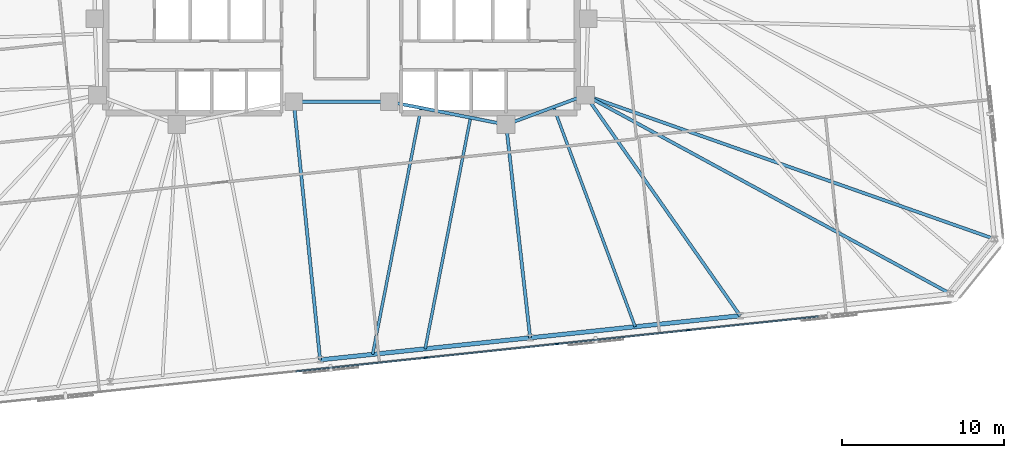
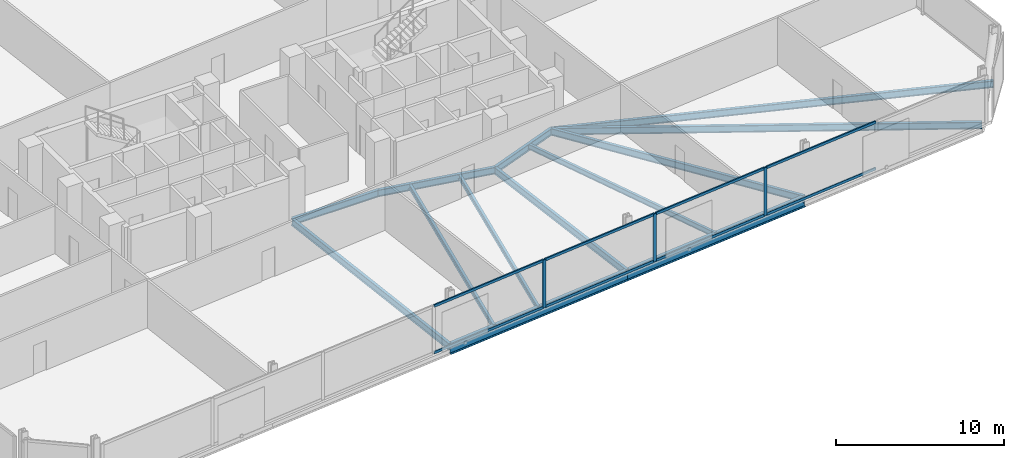
# One storey, part 7 of 18: 13 beams, 11 members, 1 element without a shape of its own.
"""IFC4 building model written with IfcOpenShell, lengths in metres."""

from ifc_helpers import new_model, si_unit, direction, frame, origin, origin_2d, place, context, subcontext, project, spatial, rectangle, i_section, extrude, material, material_profile, profile_set, type_object, element, aggregate, save


model = new_model("IFC4")

# Units and contexts
model_context = context("Model", 3, precision=1e-05, world=origin(), true_north=direction((0.0, 1.0)))
body_context = subcontext(model_context, "Body", "Model", "MODEL_VIEW")
ifc_project = project(units=[si_unit("LENGTHUNIT", "METRE"), si_unit("AREAUNIT", "SQUARE_METRE"), si_unit("VOLUMEUNIT", "CUBIC_METRE"), si_unit("PLANEANGLEUNIT", "RADIAN"), si_unit("MASSUNIT", "GRAM", prefix="KILO")], contexts=[model_context])

# Site, building, storey
site_placement = place(None, origin())
site = spatial("IfcSite", under=ifc_project, at=site_placement, CompositionType="ELEMENT")
building_placement = place(site_placement, origin())
building = spatial("IfcBuilding", under=site, at=building_placement, Name="Menara Jurai Vektor", CompositionType="ELEMENT")
storey_placement = place(building_placement, frame((0.0, 0.0, 94.800048828125)))
storey = spatial("IfcBuildingStorey", under=building, at=storey_placement, Name="L23", CompositionType="ELEMENT", Elevation=94.800048828125)

# Curtain wall, members
ifc_material_1 = material(Name="Anodised Pale Aluminium & Low-E Double Glazing", Category="aluminium")
curtain_wall_type = type_object("IfcCurtainWallType", Name="CW-BLK2", PredefinedType="NOTDEFINED", material=ifc_material_1)
curtain_wall_placement = place(storey_placement, origin())
curtain_wall = element("IfcCurtainWall", 1, at=curtain_wall_placement, inside=storey, type_object=curtain_wall_type, Name="Unitised Curtain Wall L23 F01", PredefinedType="NOTDEFINED")
ifc_material_2 = material(Name="Anodised Pale Aluminium Mullion", Category="aluminium")
ifc_material_profile_1 = material_profile(ifc_material_2, rectangle(XDim=0.090087890625, YDim=0.219970703125, at=origin_2d()), Name="ALU MUL 90x220")
ifc_profile_set_1 = profile_set([ifc_material_profile_1], Name="Anodised Pale Aluminium Mullion")
member_type_1 = type_object("IfcMemberType", Name="CW-BLK2-MUL", PredefinedType="MULLION", material=ifc_profile_set_1)
member_1_placement = place(storey_placement, frame((5.230224609375, -20.72265625, 0.0), z_axis=(0.0, 0.0, 1.0), x_axis=(-0.104528634935, 0.994521877325, 0.0)))
member_1 = element("IfcMember", 2, at=member_1_placement, type_object=member_type_1, Name="CW-02 mullion 5", PredefinedType="MULLION", context=body_context, shape_type="SweptSolid", body=[
    extrude(rectangle(XDim=0.090087890625, YDim=0.219970703125, at=origin_2d()), origin(), (0.0, 0.0, 1.0), 3.474853515625),
])
member_2_placement = place(storey_placement, frame((13.328125, -19.87158203125, 0.0), z_axis=(0.0, 0.0, 1.0), x_axis=(-0.104528634935, 0.994521877325, 0.0)))
member_2 = element("IfcMember", 3, at=member_2_placement, type_object=member_type_1, Name="CW-02 mullion 6", PredefinedType="MULLION", context=body_context, shape_type="SweptSolid", body=[
    extrude(rectangle(XDim=0.090087890625, YDim=0.219970703125, at=origin_2d()), origin(), (0.0, 0.0, 1.0), 3.474853515625),
])
member_3_placement = place(storey_placement, frame((21.426025390625, -19.020263671875, 0.0), z_axis=(0.0, 0.0, 1.0), x_axis=(-0.104528634935, 0.994521877325, 0.0)))
member_3 = element("IfcMember", 4, at=member_3_placement, type_object=member_type_1, Name="CW-02 mullion 7", PredefinedType="MULLION", context=body_context, shape_type="SweptSolid", body=[
    extrude(rectangle(XDim=0.090087890625, YDim=0.219970703125, at=origin_2d()), origin(), (0.0, 0.0, 1.0), 3.474853515625),
])
ifc_material_3 = material(Name="Anodised Pale Aluminium Transom", Category="aluminium")
ifc_material_profile_2 = material_profile(ifc_material_3, rectangle(XDim=0.090087890625, YDim=0.18505859375, at=origin_2d()), Name="ALU TRN 90x185")
ifc_profile_set_2 = profile_set([ifc_material_profile_2], Name="Anodised Pale Aluminium Transom")
member_type_2 = type_object("IfcMemberType", Name="CW-BLK2-TRN", PredefinedType="USERDEFINED", material=ifc_profile_set_2)
member_4_placement = place(storey_placement, frame((-2.82275390625, -21.569091796875, 0.044921875), z_axis=(0.994520726373, 0.10453958492, 0.0), x_axis=(-0.10453958492, 0.994520726373, 0.0)))
member_4 = element("IfcMember", 5, at=member_4_placement, type_object=member_type_2, Name="CW-02 transom 4.1", ObjectType="TRANSOM", PredefinedType="USERDEFINED", context=body_context, shape_type="SweptSolid", body=[
    extrude(rectangle(XDim=0.090087890625, YDim=0.18505859375, at=origin_2d()), origin(), (0.0, 0.0, 1.0), 8.052490234375),
])
member_5_placement = place(storey_placement, frame((-2.82275390625, -21.569091796875, 3.429931640625), z_axis=(0.994520726373, 0.10453958492, 0.0), x_axis=(-0.10453958492, 0.994520726373, 0.0)))
member_5 = element("IfcMember", 6, at=member_5_placement, type_object=member_type_2, Name="CW-02 transom 4.2", ObjectType="TRANSOM", PredefinedType="USERDEFINED", context=body_context, shape_type="SweptSolid", body=[
    extrude(rectangle(XDim=0.090087890625, YDim=0.18505859375, at=origin_2d()), origin(), (0.0, 0.0, 1.0), 8.052490234375),
])
member_6_placement = place(storey_placement, frame((5.275146484375, -20.718017578125, 0.044921875), z_axis=(0.994520726373, 0.10453958492, 0.0), x_axis=(-0.10453958492, 0.994520726373, 0.0)))
member_6 = element("IfcMember", 7, at=member_6_placement, type_object=member_type_2, Name="CW-02 transom 5.1", ObjectType="TRANSOM", PredefinedType="USERDEFINED", context=body_context, shape_type="SweptSolid", body=[
    extrude(rectangle(XDim=0.090087890625, YDim=0.18505859375, at=origin_2d()), origin(), (0.0, 0.0, 1.0), 8.052490234375),
])
member_7_placement = place(storey_placement, frame((5.275146484375, -20.718017578125, 3.429931640625), z_axis=(0.994520726373, 0.10453958492, 0.0), x_axis=(-0.10453958492, 0.994520726373, 0.0)))
member_7 = element("IfcMember", 8, at=member_7_placement, type_object=member_type_2, Name="CW-02 transom 5.2", ObjectType="TRANSOM", PredefinedType="USERDEFINED", context=body_context, shape_type="SweptSolid", body=[
    extrude(rectangle(XDim=0.090087890625, YDim=0.18505859375, at=origin_2d()), origin(), (0.0, 0.0, 1.0), 8.052490234375),
])
member_8_placement = place(storey_placement, frame((13.373046875, -19.86669921875, 0.044921875), z_axis=(0.99452387809, 0.104509597213, 0.0), x_axis=(-0.104509597213, 0.99452387809, 0.0)))
member_8 = element("IfcMember", 9, at=member_8_placement, type_object=member_type_2, Name="CW-02 transom 6.1", ObjectType="TRANSOM", PredefinedType="USERDEFINED", context=body_context, shape_type="SweptSolid", body=[
    extrude(rectangle(XDim=0.090087890625, YDim=0.18505859375, at=origin_2d()), origin(), (0.0, 0.0, 1.0), 8.052490234375),
])
member_9_placement = place(storey_placement, frame((13.373046875, -19.86669921875, 3.429931640625), z_axis=(0.99452387809, 0.104509597213, 0.0), x_axis=(-0.104509597213, 0.99452387809, 0.0)))
member_9 = element("IfcMember", 10, at=member_9_placement, type_object=member_type_2, Name="CW-02 transom 6.2", ObjectType="TRANSOM", PredefinedType="USERDEFINED", context=body_context, shape_type="SweptSolid", body=[
    extrude(rectangle(XDim=0.090087890625, YDim=0.18505859375, at=origin_2d()), origin(), (0.0, 0.0, 1.0), 8.052490234375),
])
member_10_placement = place(storey_placement, frame((21.470947265625, -19.015625, 0.044921875), z_axis=(0.994520726373, 0.10453958492, 0.0), x_axis=(-0.10453958492, 0.994520726373, 0.0)))
member_10 = element("IfcMember", 11, at=member_10_placement, type_object=member_type_2, Name="CW-02 transom 7.1", ObjectType="TRANSOM", PredefinedType="USERDEFINED", context=body_context, shape_type="SweptSolid", body=[
    extrude(rectangle(XDim=0.090087890625, YDim=0.18505859375, at=origin_2d()), origin(), (0.0, 0.0, 1.0), 8.052490234375),
])
member_11_placement = place(storey_placement, frame((21.470947265625, -19.015625, 3.429931640625), z_axis=(0.994520726373, 0.10453958492, 0.0), x_axis=(-0.10453958492, 0.994520726373, 0.0)))
member_11 = element("IfcMember", 12, at=member_11_placement, type_object=member_type_2, Name="CW-02 transom 7.2", ObjectType="TRANSOM", PredefinedType="USERDEFINED", context=body_context, shape_type="SweptSolid", body=[
    extrude(rectangle(XDim=0.090087890625, YDim=0.18505859375, at=origin_2d()), origin(), (0.0, 0.0, 1.0), 8.052490234375),
])
aggregate(curtain_wall, [member_1, member_2, member_3, member_4, member_5, member_6, member_7, member_8, member_9, member_10, member_11])

# Beams
ifc_material_4 = material(Name="Steel S355", Category="steel")
ifc_material_profile_3 = material_profile(ifc_material_4, i_section(OverallWidth=0.199951171875, OverallDepth=0.5, WebThickness=0.011962890625, FlangeThickness=0.02001953125, at=origin_2d()), Name="PG 500x200x96")
ifc_profile_set_3 = profile_set([ifc_material_profile_3], Name="Steel S355")
beam_type_1 = type_object("IfcBeamType", Name="STR-BM-500", PredefinedType="BEAM", material=ifc_profile_set_3)
beam_1_placement = place(storey_placement, frame((10.179931640625, -6.320068359375, -0.47509765625), z_axis=(0.937424400887, 0.348188874925, 0.0), x_axis=(-0.348188874925, 0.937424400887, 0.0)))
element("IfcBeam", 13, at=beam_1_placement, inside=storey, type_object=beam_type_1, Name="Core Ring Header Girder L23-CHE-S1", PredefinedType="BEAM", context=body_context, shape_type="SweptSolid", body=[
    extrude(i_section(OverallWidth=0.199951171875, OverallDepth=0.5, WebThickness=0.011962890625, FlangeThickness=0.02001953125, at=origin_2d()), origin(), (0.0, 0.0, 1.0), 5.227294921875),
])
beam_2_placement = place(storey_placement, frame((2.949951171875, -4.89990234375, -0.47509765625), z_axis=(0.981249044334, -0.192744164614, 0.0), x_axis=(0.192744164614, 0.981249044334, 0.0)))
element("IfcBeam", 14, at=beam_2_placement, inside=storey, type_object=beam_type_1, Name="Core Ring Header Girder L23-CHE-S2", PredefinedType="BEAM", context=body_context, shape_type="SweptSolid", body=[
    extrude(i_section(OverallWidth=0.199951171875, OverallDepth=0.5, WebThickness=0.011962890625, FlangeThickness=0.02001953125, at=origin_2d()), origin(), (0.0, 0.0, 1.0), 7.3681640625),
])
beam_3_placement = place(storey_placement, frame((-2.949951171875, -4.89990234375, -0.47509765625), z_axis=(1.0, 0.0, 0.0), x_axis=(0.0, 1.0, 0.0)))
element("IfcBeam", 15, at=beam_3_placement, inside=storey, type_object=beam_type_1, Name="Core Ring Header Girder L23-CC-1", PredefinedType="BEAM", context=body_context, shape_type="SweptSolid", body=[
    extrude(i_section(OverallWidth=0.199951171875, OverallDepth=0.5, WebThickness=0.011962890625, FlangeThickness=0.02001953125, at=origin_2d()), origin(), (0.0, 0.0, 1.0), 5.89990234375),
])
beam_4_placement = place(storey_placement, frame((-1.31689453125, -20.85791015625, -0.47509765625), z_axis=(-0.101802947506, 0.994804583765, 0.0), x_axis=(-0.994804583765, -0.101802947506, 0.0)))
element("IfcBeam", 16, at=beam_4_placement, inside=storey, type_object=beam_type_1, Name="Radial Floor Girder L23-S3", PredefinedType="BEAM", context=body_context, shape_type="SweptSolid", body=[
    extrude(i_section(OverallWidth=0.199951171875, OverallDepth=0.5, WebThickness=0.011962890625, FlangeThickness=0.02001953125, at=origin_2d()), origin(), (0.0, 0.0, 1.0), 16.041259765625),
])
beam_5_placement = place(storey_placement, frame((11.66259765625, -19.493408203125, -0.47509765625), z_axis=(-0.111844331087, 0.99372573963, 0.0), x_axis=(-0.99372573963, -0.111844331087, 0.0)))
element("IfcBeam", 17, at=beam_5_placement, inside=storey, type_object=beam_type_1, Name="Radial Floor Girder L23-S4", PredefinedType="BEAM", context=body_context, shape_type="SweptSolid", body=[
    extrude(i_section(OverallWidth=0.199951171875, OverallDepth=0.5, WebThickness=0.011962890625, FlangeThickness=0.02001953125, at=origin_2d()), origin(), (0.0, 0.0, 1.0), 13.256591796875),
])
beam_6_placement = place(storey_placement, frame((24.64208984375, -18.12939453125, -0.47509765625), z_axis=(-0.574326112611, 0.818626603754, 0.0), x_axis=(-0.818626603754, -0.574326112611, 0.0)))
element("IfcBeam", 18, at=beam_6_placement, inside=storey, type_object=beam_type_1, Name="Radial Floor Girder L23-S5", PredefinedType="BEAM", context=body_context, shape_type="SweptSolid", body=[
    extrude(i_section(OverallWidth=0.199951171875, OverallDepth=0.5, WebThickness=0.011962890625, FlangeThickness=0.02001953125, at=origin_2d()), origin(), (0.0, 0.0, 1.0), 16.649169921875),
])
beam_7_placement = place(storey_placement, frame((37.621826171875, -16.76513671875, -0.47509765625), z_axis=(-0.878392468416, 0.477940029115, 0.0), x_axis=(-0.477940029115, -0.878392468416, 0.0)))
element("IfcBeam", 19, at=beam_7_placement, inside=storey, type_object=beam_type_1, Name="Radial Floor Girder L23-S6", PredefinedType="BEAM", context=body_context, shape_type="SweptSolid", body=[
    extrude(i_section(OverallWidth=0.199951171875, OverallDepth=0.5, WebThickness=0.011962890625, FlangeThickness=0.02001953125, at=origin_2d()), origin(), (0.0, 0.0, 1.0), 25.66259765625),
])
beam_8_placement = place(storey_placement, frame((40.356201171875, -13.388671875, -0.47509765625), z_axis=(-0.943368219745, 0.331747497315, 0.0), x_axis=(-0.331747497315, -0.943368219745, 0.0)))
element("IfcBeam", 20, at=beam_8_placement, inside=storey, type_object=beam_type_1, Name="Radial Floor Girder L23-E1", PredefinedType="BEAM", context=body_context, shape_type="SweptSolid", body=[
    extrude(i_section(OverallWidth=0.199951171875, OverallDepth=0.5, WebThickness=0.011962890625, FlangeThickness=0.02001953125, at=origin_2d()), origin(), (0.0, 0.0, 1.0), 26.79345703125),
])
ifc_material_profile_4 = material_profile(ifc_material_4, i_section(OverallWidth=0.175048828125, OverallDepth=0.3798828125, WebThickness=0.010009765625, FlangeThickness=0.014892578125, at=origin_2d()), Name="PG 380x175x58")
ifc_profile_set_4 = profile_set([ifc_material_profile_4], Name="Steel S355")
beam_type_2 = type_object("IfcBeamType", Name="STR-JS-380", PredefinedType="JOIST", material=ifc_profile_set_4)
beam_9_placement = place(storey_placement, frame((1.927978515625, -20.5166015625, -0.4150390625), z_axis=(0.192720963177, 0.981253601447, 0.0), x_axis=(-0.981253601447, 0.192720963177, 0.0)))
element("IfcBeam", 21, at=beam_9_placement, inside=storey, type_object=beam_type_2, Name="Radial Secondary Floor Joist L23-JS06", PredefinedType="JOIST", context=body_context, shape_type="SweptSolid", body=[
    extrude(i_section(OverallWidth=0.175048828125, OverallDepth=0.3798828125, WebThickness=0.010009765625, FlangeThickness=0.014892578125, at=origin_2d()), origin(), (0.0, 0.0, 1.0), 15.52099609375),
])
beam_10_placement = place(storey_placement, frame((5.1728515625, -20.175537109375, -0.4150390625), z_axis=(0.192719646422, 0.98125386006, 0.0), x_axis=(-0.98125386006, 0.192719646422, 0.0)))
element("IfcBeam", 22, at=beam_10_placement, inside=storey, type_object=beam_type_2, Name="Radial Secondary Floor Joist L23-JS07", PredefinedType="JOIST", context=body_context, shape_type="SweptSolid", body=[
    extrude(i_section(OverallWidth=0.175048828125, OverallDepth=0.3798828125, WebThickness=0.010009765625, FlangeThickness=0.014892578125, at=origin_2d()), origin(), (0.0, 0.0, 1.0), 14.560791015625),
])
beam_11_placement = place(storey_placement, frame((18.15234375, -18.811279296875, -0.4150390625), z_axis=(-0.348188645432, 0.937424486128, 0.0), x_axis=(-0.937424486128, -0.348188645432, 0.0)))
element("IfcBeam", 23, at=beam_11_placement, inside=storey, type_object=beam_type_2, Name="Radial Secondary Floor Joist L23-JS08", PredefinedType="JOIST", context=body_context, shape_type="SweptSolid", body=[
    extrude(i_section(OverallWidth=0.175048828125, OverallDepth=0.3798828125, WebThickness=0.010009765625, FlangeThickness=0.014892578125, at=origin_2d()), origin(), (0.0, 0.0, 1.0), 14.485595703125),
])
ifc_material_5 = material(Name="Steel S460", Category="steel")
ifc_material_profile_5 = material_profile(ifc_material_5, i_section(OverallWidth=0.26806640625, OverallDepth=0.77001953125, WebThickness=0.01611328125, FlangeThickness=0.02490234375, FilletRadius=0.01708984375, at=origin_2d()), Name="UKB 762x267x197")
ifc_profile_set_5 = profile_set([ifc_material_profile_5], Name="Steel S460")
beam_type_3 = type_object("IfcBeamType", Name="STR-SP-762", PredefinedType="SPANDREL", material=ifc_profile_set_5)
for number, where, z_axis, x_axis, name in (
    (24, (-1.31689453125, -20.85791015625, -0.610107421875), (0.994519486762, 0.104551377088, 0.0), (-0.104551377088, 0.994519486762, 0.0), "Exoskeleton Spandrel Beam L23-03"),
    (25, (11.66259765625, -19.493408203125, -0.610107421875), (0.99452337626, 0.104514372567, 0.0), (-0.104514372567, 0.99452337626, 0.0), "Exoskeleton Spandrel Beam L23-04"),
):
    element("IfcBeam", number, at=place(storey_placement, frame(where, z_axis=z_axis, x_axis=x_axis)), inside=storey, type_object=beam_type_3, Name=name, PredefinedType="SPANDREL", context=body_context, shape_type="SweptSolid", body=[
        extrude(i_section(OverallWidth=0.26806640625, OverallDepth=0.77001953125, WebThickness=0.01611328125, FlangeThickness=0.02490234375, FilletRadius=0.01708984375, at=origin_2d()), origin(), (0.0, 0.0, 1.0), 13.051025390625),
    ])

save(model, "model.ifc")
